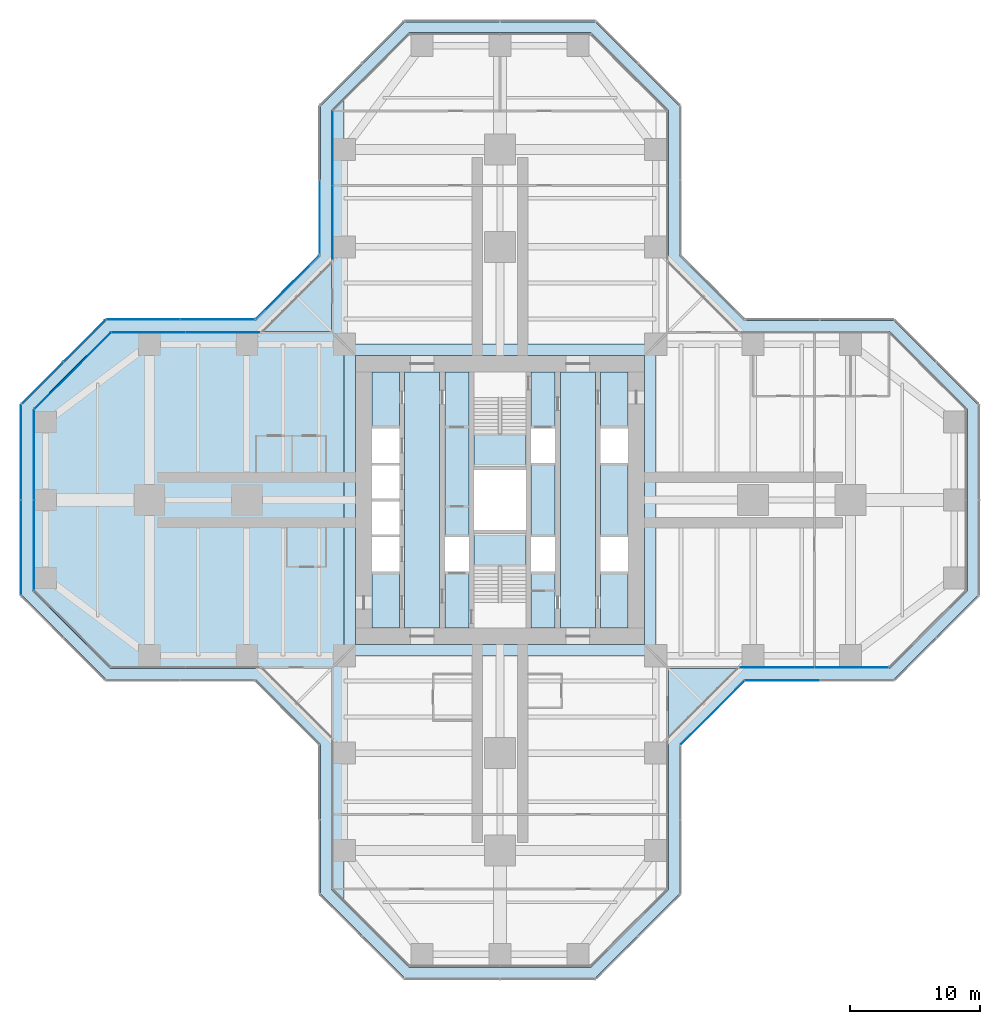
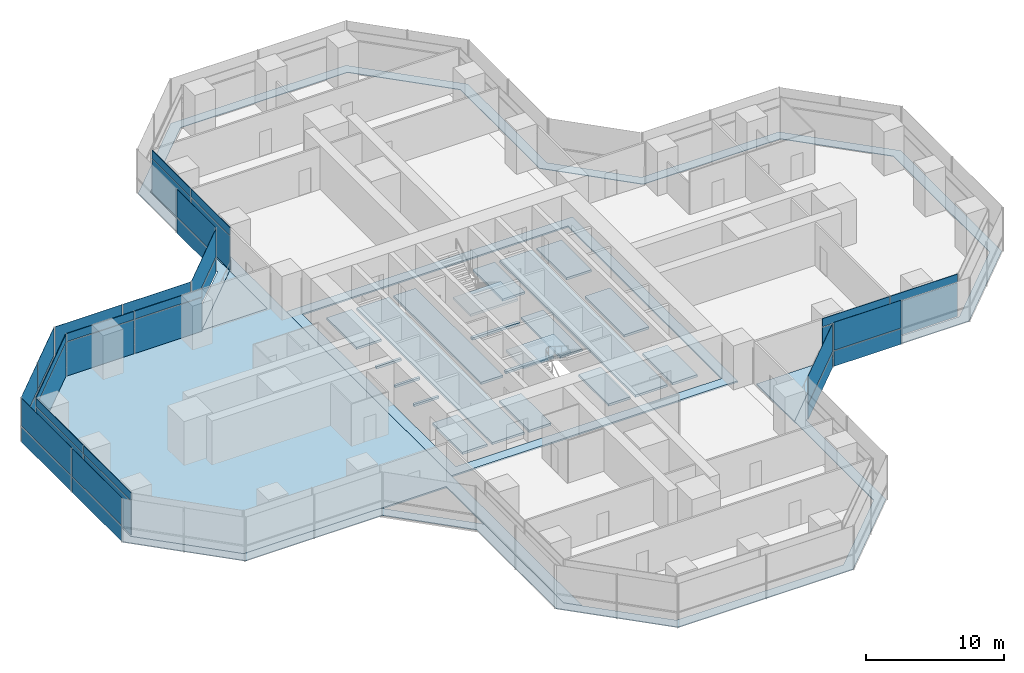
# One storey, part 15 of 22: 39 plates, 7 slabs, 14 elements without a shape of their own.
"""IFC4 building model written with IfcOpenShell, lengths in metres."""

import ifcopenshell
import ifcopenshell.guid

model = None  # the IFC model being written
_history = None  # IfcOwnerHistory: only IFC2X3 demands one
_inside = {}  # id of a spatial element -> (the spatial element, [elements in it])
_under = {}  # id of a project, library or spatial element -> (it, [spatial elements below it])
_declared = {}  # id of a project -> (the project, [libraries it declares])
_typed = {}  # id of a type object -> (the type object, [elements of that type])
_made_of = {}  # id of a material, layer set ... -> (it, [elements and type objects made of it])


def new_model(schema):
    """Start an empty IFC model of exactly this schema.

    Asked for "IFC4X3", IfcOpenShell would pick the latest addendum, in which some entities
    have other attributes; the version numbers below select the first issue.
    IFC2X3 requires an IfcOwnerHistory on every rooted entity: one is made here for all.
    """
    global model, _history
    if schema == "IFC4X3":
        model = ifcopenshell.file(schema_version=(4, 3, 0, 0))
    else:
        model = ifcopenshell.file(schema=schema)
    _inside.clear()
    _under.clear()
    _declared.clear()
    _typed.clear()
    _made_of.clear()
    _history = None
    if model.schema == "IFC2X3":
        org = make("IfcOrganization", Name="unknown")
        user = make(
            "IfcPersonAndOrganization",
            ThePerson=make("IfcPerson", FamilyName="unknown"),
            TheOrganization=org,
        )
        app = make(
            "IfcApplication",
            ApplicationDeveloper=org,
            Version="unknown",
            ApplicationFullName="unknown",
            ApplicationIdentifier="unknown",
        )
        _history = make(
            "IfcOwnerHistory",
            OwningUser=user,
            OwningApplication=app,
            ChangeAction="ADDED",
            CreationDate=0,
        )
    return model


def make(cls, **values):
    """One entity of the class cls with the attributes given. An attribute that is None is left unset."""
    return model.create_entity(
        cls, **{name: value for name, value in values.items() if value is not None}
    )


def rooted(cls, **values):
    """An entity with a GlobalId (a new one), such as an element, a storey or a relation."""
    return make(cls, GlobalId=ifcopenshell.guid.new(), OwnerHistory=_history, **values)


def si_unit(unit_type, name, prefix=None):
    """IfcSIUnit, for example si_unit("LENGTHUNIT", "METRE", prefix="MILLI")."""
    return make("IfcSIUnit", UnitType=unit_type, Prefix=prefix, Name=name)


def assignment(units):
    """IfcUnitAssignment: the units of a project."""
    return None if units is None else make("IfcUnitAssignment", Units=units)


def point(xyz):
    """IfcCartesianPoint."""
    return None if xyz is None else make("IfcCartesianPoint", Coordinates=xyz)


def direction(xyz):
    """IfcDirection."""
    return None if xyz is None else make("IfcDirection", DirectionRatios=xyz)


def frame(location, z_axis=None, x_axis=None):
    """IfcAxis2Placement3D, a coordinate frame: its origin and axes. An axis left out is left unset."""
    return make(
        "IfcAxis2Placement3D",
        Location=point(location),
        Axis=direction(z_axis),
        RefDirection=direction(x_axis),
    )


def frame_2d(location, x_axis=None):
    """IfcAxis2Placement2D, a coordinate frame in the plane: its origin and x axis."""
    return make(
        "IfcAxis2Placement2D", Location=point(location), RefDirection=direction(x_axis)
    )


def origin():
    """The frame at (0, 0, 0) with its axes left unset."""
    return frame((0.0, 0.0, 0.0))


def origin_2d():
    """The frame at (0, 0) in the plane with its x axis left unset."""
    return frame_2d((0.0, 0.0))


def place(relative_to, where):
    """IfcLocalPlacement: puts the frame where relative to a parent placement (None: the world)."""
    return make(
        "IfcLocalPlacement", PlacementRelTo=relative_to, RelativePlacement=where
    )


def context(
    kind, dimensions, precision=None, world=None, true_north=None, identifier=None
):
    """IfcGeometricRepresentationContext, for example the 3D "Model" context."""
    return make(
        "IfcGeometricRepresentationContext",
        ContextIdentifier=identifier,
        ContextType=kind,
        CoordinateSpaceDimension=dimensions,
        Precision=precision,
        WorldCoordinateSystem=world,
        TrueNorth=true_north,
    )


def subcontext(parent, identifier, kind, view, scale=None):
    """IfcGeometricRepresentationSubContext, for example "Body" below "Model"."""
    return make(
        "IfcGeometricRepresentationSubContext",
        ContextIdentifier=identifier,
        ContextType=kind,
        ParentContext=parent,
        TargetScale=scale,
        TargetView=view,
    )


def project(units=None, contexts=None):
    """IfcProject with its units and contexts."""
    return rooted(
        "IfcProject",
        Name="project",
        RepresentationContexts=contexts,
        UnitsInContext=assignment(units),
    )


def spatial(cls, under=None, at=None, **own):
    """A site, building, storey or space (cls), placed at a placement, below another one or the project."""
    s = rooted(cls, ObjectPlacement=at, **own)
    if under is not None:
        _under.setdefault(under.id(), (under, []))[1].append(s)
    return s


def polyline(points):
    """IfcPolyline through the points."""
    return make("IfcPolyline", Points=[point(p) for p in points])


def profile(cls, at=None, kind="AREA", **sizes):
    """A parametric profile (cls). Its sizes go by their IFC names, for example OverallWidth=200.0."""
    return make(cls, ProfileType=kind, Position=at, **sizes)


def rectangle(**sizes):
    """IfcRectangleProfileDef."""
    return profile("IfcRectangleProfileDef", **sizes)


def outline(outer, holes=None, kind="AREA"):
    """IfcArbitraryClosedProfileDef: a profile drawn as a closed curve; with holes, ...WithVoids."""
    if holes is None:
        return make("IfcArbitraryClosedProfileDef", ProfileType=kind, OuterCurve=outer)
    return make(
        "IfcArbitraryProfileDefWithVoids",
        ProfileType=kind,
        OuterCurve=outer,
        InnerCurves=holes,
    )


def extrude(swept, where, along, depth):
    """IfcExtrudedAreaSolid: the profile swept, set in the frame where, extruded along a direction by depth."""
    return make(
        "IfcExtrudedAreaSolid",
        SweptArea=swept,
        Position=where,
        ExtrudedDirection=direction(along),
        Depth=depth,
    )


def shape(context_of_items, identifier, shape_type, items):
    """IfcShapeRepresentation: the items that make up one representation, for example the "Body"."""
    return make(
        "IfcShapeRepresentation",
        ContextOfItems=context_of_items,
        RepresentationIdentifier=identifier,
        RepresentationType=shape_type,
        Items=items,
    )


def material(Name=None, Category=None):
    """IfcMaterial."""
    return make("IfcMaterial", Name=Name, Category=Category)


def layer(
    of_material, thickness, ventilated=None, Name=None, Category=None, Priority=None
):
    """IfcMaterialLayer: one layer of a wall or slab, of a material (None: an air gap)."""
    return make(
        "IfcMaterialLayer",
        Material=of_material,
        LayerThickness=thickness,
        IsVentilated=ventilated,
        Name=Name,
        Category=Category,
        Priority=Priority,
    )


def layer_set(layers, Name=None):
    """IfcMaterialLayerSet."""
    return make("IfcMaterialLayerSet", MaterialLayers=layers, LayerSetName=Name)


def made_of(thing, what):
    """Note that an element or type object is made of a material, layer set ...; save() writes the relation."""
    if what is not None:
        _made_of.setdefault(what.id(), (what, []))[1].append(thing)
    return thing


def type_object(cls, material=None, **own):
    """A type object (cls), such as IfcWallType, which elements share."""
    return made_of(rooted(cls, **own), material)


def element(
    cls,
    number,
    at=None,
    inside=None,
    cuts=None,
    type_object=None,
    material=None,
    context=None,
    identifier="Body",
    shape_type=None,
    held_by="IfcProductDefinitionShape",
    body=None,
    shapes=None,
    **own,
):
    """One element of the class cls, such as IfcWall. Its Tag is "e" and its number.

    at: its placement. inside: the storey or other place that contains it. cuts: it is an
    opening in that element (IfcRelVoidsElement). A single representation is given by context,
    identifier, shape_type and body (its items); several are given by shapes. held_by: the class
    of the entity that holds the representations. save() writes the other relations.
    """
    e = rooted(cls, Tag="e%d" % number, ObjectPlacement=at, **own)
    if body is not None:
        shapes = [shape(context, identifier, shape_type, body)]
    if shapes is not None:
        e.Representation = make(held_by, Representations=shapes)
    if inside is not None:
        _inside.setdefault(inside.id(), (inside, []))[1].append(e)
    if cuts is not None:
        rooted(
            "IfcRelVoidsElement", RelatingBuildingElement=cuts, RelatedOpeningElement=e
        )
    if type_object is not None:
        _typed.setdefault(type_object.id(), (type_object, []))[1].append(e)
    return made_of(e, material)


def aggregate(whole, parts):
    """IfcRelAggregates: a whole, such as a stair, and the parts it consists of."""
    return rooted("IfcRelAggregates", RelatingObject=whole, RelatedObjects=parts)


def save(model, path):
    """Write the relations noted so far, then the file.

    IfcRelAggregates (storeys below a building ...), IfcRelContainedInSpatialStructure (elements
    in a storey), IfcRelDefinesByType, IfcRelAssociatesMaterial and IfcRelDeclares: one each for
    every whole, place, type object, material and project.
    """
    for whole, parts in _under.values():
        aggregate(whole, parts)
    for where, things in _inside.values():
        rooted(
            "IfcRelContainedInSpatialStructure",
            RelatedElements=things,
            RelatingStructure=where,
        )
    for kind, things in _typed.values():
        rooted("IfcRelDefinesByType", RelatedObjects=things, RelatingType=kind)
    for what, things in _made_of.values():
        rooted("IfcRelAssociatesMaterial", RelatedObjects=things, RelatingMaterial=what)
    for by, libraries in _declared.values():
        rooted("IfcRelDeclares", RelatingContext=by, RelatedDefinitions=libraries)
    model.write(path)


model = new_model("IFC4")

# Units and contexts
model_context = context("Model", 3, precision=1e-05, world=origin(), true_north=direction((0.0, 1.0)))
body_context = subcontext(model_context, "Body", "Model", "MODEL_VIEW")
ifc_project = project(units=[si_unit("LENGTHUNIT", "METRE"), si_unit("AREAUNIT", "SQUARE_METRE"), si_unit("VOLUMEUNIT", "CUBIC_METRE"), si_unit("PLANEANGLEUNIT", "RADIAN"), si_unit("MASSUNIT", "GRAM", prefix="KILO")], contexts=[model_context])

# Site, building, storey
site_placement = place(None, origin())
site = spatial("IfcSite", under=ifc_project, at=site_placement, CompositionType="ELEMENT")
building_placement = place(site_placement, origin())
building = spatial("IfcBuilding", under=site, at=building_placement, Name="Mizan Broadcast Tower", CompositionType="ELEMENT")
storey_placement = place(building_placement, frame((0.0, 0.0, 98.10009765625)))
storey = spatial("IfcBuildingStorey", under=building, at=storey_placement, Name="L21", CompositionType="ELEMENT", Elevation=98.10009765625)

# Plate
ifc_material_1 = material(Name="Aluminium grating", Category="aluminium")
ifc_layer_1 = layer(ifc_material_1, 0.050048828125)
ifc_layer_set_1 = layer_set([ifc_layer_1], Name="Aluminium grating")
plate_type_1 = type_object("IfcPlateType", Name="CAVITY GRATING", PredefinedType="USERDEFINED", material=ifc_layer_set_1)
plate_1_placement = place(storey_placement, frame((0.0, 0.0, -0.050048828125)))
element("IfcPlate", 1, at=plate_1_placement, inside=storey, type_object=plate_type_1, Name="Cavity grating L21", ObjectType="GRATING", PredefinedType="USERDEFINED", context=body_context, shape_type="SweptSolid", body=[
    extrude(outline(polyline([(13.820068359375, -18.839599609375), (18.839599609375, -13.820068359375), (30.339599609375, -13.820068359375), (36.820068359375, -7.339599609375), (36.820068359375, 7.339599609375), (30.339599609375, 13.820068359375), (18.839599609375, 13.820068359375), (13.820068359375, 18.839599609375), (13.820068359375, 30.339599609375), (7.339599609375, 36.820068359375), (-7.339599609375, 36.820068359375), (-13.820068359375, 30.339599609375), (-13.820068359375, 18.839599609375), (-18.839599609375, 13.820068359375), (-30.339599609375, 13.820068359375), (-36.820068359375, 7.339599609375), (-36.820068359375, -7.339599609375), (-30.339599609375, -13.820068359375), (-18.839599609375, -13.820068359375), (-13.820068359375, -18.839599609375), (-13.820068359375, -30.339599609375), (-7.339599609375, -36.820068359375), (7.339599609375, -36.820068359375), (13.820068359375, -30.339599609375), (13.820068359375, -18.839599609375)]), holes=[polyline([(36.0, 7.0), (36.0, -7.0), (30.0, -13.0), (18.5, -13.0), (13.0, -18.5), (13.0, -30.0), (7.0, -36.0), (-7.0, -36.0), (-13.0, -30.0), (-13.0, -18.5), (-18.5, -13.0), (-30.0, -13.0), (-36.0, -7.0), (-36.0, 7.0), (-30.0, 13.0), (-18.5, 13.0), (-13.0, 18.5), (-13.0, 30.0), (-7.0, 36.0), (7.0, 36.0), (13.0, 30.0), (13.0, 18.5), (18.5, 13.0), (30.0, 13.0), (36.0, 7.0)])]), origin(), (0.0, 0.0, 1.0), 0.050048828125),
])

# Slabs
ifc_material_2 = material(Name="Concrete C32/40", Category="concrete")
ifc_layer_2 = layer(ifc_material_2, 0.1298828125)
ifc_layer_set_2 = layer_set([ifc_layer_2], Name="Concrete C32/40")
slab_type_1 = type_object("IfcSlabType", Name="COMPOSITE DECK SLAB 130", PredefinedType="FLOOR", material=ifc_layer_set_2)
slab_1_placement = place(storey_placement, frame((0.0, 0.0, -0.130126953125)))
element("IfcSlab", 2, at=slab_1_placement, inside=storey, type_object=slab_type_1, Name="Floor slab L21 centre", PredefinedType="FLOOR", context=body_context, shape_type="SweptSolid", body=[
    extrude(outline(polyline([(-12.0, -12.0), (12.0, -12.0), (12.0, 12.0), (-12.0, 12.0), (-12.0, -12.0)]), holes=[polyline([(-11.14990234375, 11.14990234375), (11.14990234375, 11.14990234375), (11.14990234375, -11.14990234375), (-11.14990234375, -11.14990234375), (-11.14990234375, 11.14990234375)])]), origin(), (0.0, 0.0, 1.0), 0.130126953125),
])
slab_2_placement = place(storey_placement, frame((0.0, 0.0, -0.130126953125)))
element("IfcSlab", 3, at=slab_2_placement, inside=storey, type_object=slab_type_1, Name="Floor slab L21 west arm", PredefinedType="FLOOR", context=body_context, shape_type="SweptSolid", body=[
    extrude(outline(polyline([(-13.0, -30.0), (-12.0, -31.0), (-12.0, 31.0), (-13.0, 30.0), (-13.0, 13.0), (-30.0, 13.0), (-36.0, 7.0), (-36.0, -7.0), (-30.0, -13.0), (-13.0, -13.0), (-13.0, -30.0)])), origin(), (0.0, 0.0, 1.0), 0.130126953125),
])
ifc_material_3 = material(Name="Concrete C40/50", Category="concrete")
ifc_layer_3 = layer(ifc_material_3, 0.199951171875)
ifc_layer_set_3 = layer_set([ifc_layer_3], Name="Concrete C40/50")
slab_type_2 = type_object("IfcSlabType", Name="CORE FLOOR 200", PredefinedType="FLOOR", material=ifc_layer_set_3)
slab_3_placement = place(storey_placement, frame((0.0, 0.0, -0.2001953125)))
element("IfcSlab", 4, at=slab_3_placement, inside=storey, type_object=slab_type_2, Name="Core floor L21", PredefinedType="FLOOR", context=body_context, shape_type="SweptSolid", body=[
    extrude(outline(polyline([(-9.85009765625, -9.85009765625), (-7.75, -9.85009765625), (-7.75, -5.5), (-9.85009765625, -5.5), (-9.85009765625, -9.85009765625)])), origin(), (0.0, 0.0, 1.0), 0.2001953125),
    extrude(outline(polyline([(-9.85009765625, -2.85009765625), (-7.75, -2.85009765625), (-7.75, -2.64990234375), (-9.85009765625, -2.64990234375), (-9.85009765625, -2.85009765625)])), origin(), (0.0, 0.0, 1.0), 0.2001953125),
    extrude(outline(polyline([(-9.85009765625, -0.10009765625), (-7.75, -0.10009765625), (-7.75, 0.10009765625), (-9.85009765625, 0.10009765625), (-9.85009765625, -0.10009765625)])), origin(), (0.0, 0.0, 1.0), 0.2001953125),
    extrude(outline(polyline([(-9.85009765625, 2.64990234375), (-7.75, 2.64990234375), (-7.75, 2.85009765625), (-9.85009765625, 2.85009765625), (-9.85009765625, 2.64990234375)])), origin(), (0.0, 0.0, 1.0), 0.2001953125),
    extrude(outline(polyline([(-9.85009765625, 5.5), (-7.75, 5.5), (-7.75, 9.85009765625), (-9.85009765625, 9.85009765625), (-9.85009765625, 5.5)])), origin(), (0.0, 0.0, 1.0), 0.2001953125),
    extrude(outline(polyline([(-4.64990234375, 9.85009765625), (-7.35009765625, 9.85009765625), (-7.35009765625, -9.85009765625), (-4.64990234375, -9.85009765625), (-4.64990234375, 9.85009765625)])), origin(), (0.0, 0.0, 1.0), 0.2001953125),
    extrude(outline(polyline([(-4.25, -5.5), (-4.25, -9.85009765625), (-2.39990234375, -9.85009765625), (-2.39990234375, -5.5), (-4.25, -5.5)])), origin(), (0.0, 0.0, 1.0), 0.2001953125),
    extrude(outline(polyline([(-4.25, -2.85009765625), (-2.39990234375, -2.85009765625), (-2.39990234375, 9.85009765625), (-4.25, 9.85009765625), (-4.25, -2.85009765625)])), origin(), (0.0, 0.0, 1.0), 0.2001953125),
    extrude(outline(polyline([(2.0, -2.324951171875), (-2.0, -2.324951171875), (-2.0, -2.574951171875), (2.0, -2.574951171875), (2.0, -2.324951171875)])), origin(), (0.0, 0.0, 1.0), 0.2001953125),
    extrude(outline(polyline([(2.0, 2.574951171875), (-2.0, 2.574951171875), (-2.0, 2.324951171875), (2.0, 2.324951171875), (2.0, 2.574951171875)])), origin(), (0.0, 0.0, 1.0), 0.2001953125),
    extrude(outline(polyline([(4.25, -9.85009765625), (4.25, -5.5), (2.39990234375, -5.5), (2.39990234375, -9.85009765625), (4.25, -9.85009765625)])), origin(), (0.0, 0.0, 1.0), 0.2001953125),
    extrude(outline(polyline([(4.25, -2.85009765625), (4.25, 2.85009765625), (2.39990234375, 2.85009765625), (2.39990234375, -2.85009765625), (4.25, -2.85009765625)])), origin(), (0.0, 0.0, 1.0), 0.2001953125),
    extrude(outline(polyline([(4.25, 5.5), (4.25, 9.85009765625), (2.39990234375, 9.85009765625), (2.39990234375, 5.5), (4.25, 5.5)])), origin(), (0.0, 0.0, 1.0), 0.2001953125),
    extrude(outline(polyline([(4.64990234375, 9.85009765625), (4.64990234375, -9.85009765625), (7.35009765625, -9.85009765625), (7.35009765625, 9.85009765625), (4.64990234375, 9.85009765625)])), origin(), (0.0, 0.0, 1.0), 0.2001953125),
    extrude(outline(polyline([(9.85009765625, -9.85009765625), (9.85009765625, -5.5), (7.75, -5.5), (7.75, -9.85009765625), (9.85009765625, -9.85009765625)])), origin(), (0.0, 0.0, 1.0), 0.2001953125),
    extrude(outline(polyline([(7.75, 2.85009765625), (7.75, -2.85009765625), (9.85009765625, -2.85009765625), (9.85009765625, 2.85009765625), (7.75, 2.85009765625)])), origin(), (0.0, 0.0, 1.0), 0.2001953125),
    extrude(outline(polyline([(9.85009765625, 5.5), (9.85009765625, 9.85009765625), (7.75, 9.85009765625), (7.75, 5.5), (9.85009765625, 5.5)])), origin(), (0.0, 0.0, 1.0), 0.2001953125),
])

# Curtain wall, plates
ifc_material_4 = material(Name="Aluminium framed glazing", Category="aluminium")
curtain_wall_type_1 = type_object("IfcCurtainWallType", Name="INNER SKIN LOW ZONE", PredefinedType="USERDEFINED", material=ifc_material_4)
curtain_wall_1_placement = place(storey_placement, origin())
curtain_wall_1 = element("IfcCurtainWall", 5, at=curtain_wall_1_placement, inside=storey, type_object=curtain_wall_type_1, Name="Inner skin low zone L21 E side", ObjectType="INNER SKIN LOW ZONE", PredefinedType="USERDEFINED")
ifc_material_5 = material(Name="Double glazing, clear low-e", Category="glass")
ifc_layer_4 = layer(ifc_material_5, 0.028076171875)
ifc_layer_set_4 = layer_set([ifc_layer_4], Name="Double glazing, clear low-e")
plate_type_2 = type_object("IfcPlateType", Name="INNER SKIN GLAZING UNIT", PredefinedType="CURTAIN_PANEL", material=ifc_layer_set_4)
plate_2_placement = place(storey_placement, frame((21.379638671875, -12.89990234375, 0.0), z_axis=(0.0, 0.0, 1.0), x_axis=(1.0, 0.0, 0.0)))
plate_2 = element("IfcPlate", 6, at=plate_2_placement, type_object=plate_type_2, Name="Inner skin low zone L21 E side panel 1.1", PredefinedType="CURTAIN_PANEL", context=body_context, shape_type="SweptSolid", body=[
    extrude(rectangle(XDim=5.639404296875, YDim=0.028076171875, at=origin_2d()), origin(), (0.0, 0.0, 1.0), 3.0),
])
plate_3_placement = place(storey_placement, frame((27.078857421875, -12.89990234375, 0.0), z_axis=(0.0, 0.0, 1.0), x_axis=(1.0, 0.0, 0.0)))
plate_3 = element("IfcPlate", 7, at=plate_3_placement, type_object=plate_type_2, Name="Inner skin low zone L21 E side panel 2.1", PredefinedType="CURTAIN_PANEL", context=body_context, shape_type="SweptSolid", body=[
    extrude(rectangle(XDim=5.639404296875, YDim=0.028076171875, at=origin_2d()), origin(), (0.0, 0.0, 1.0), 3.0),
])

curtain_wall_2_placement = place(storey_placement, origin())
curtain_wall_2 = element("IfcCurtainWall", 8, at=curtain_wall_2_placement, inside=storey, type_object=curtain_wall_type_1, Name="Inner skin low zone L21 N side", ObjectType="INNER SKIN LOW ZONE", PredefinedType="USERDEFINED")
plate_4_placement = place(storey_placement, frame((-12.89990234375, 27.078857421875, 0.0), z_axis=(0.0, 0.0, 1.0), x_axis=(0.0, -1.0, 0.0)))
plate_4 = element("IfcPlate", 9, at=plate_4_placement, type_object=plate_type_2, Name="Inner skin low zone L21 N side panel 1.1", PredefinedType="CURTAIN_PANEL", context=body_context, shape_type="SweptSolid", body=[
    extrude(rectangle(XDim=5.639404296875, YDim=0.028076171875, at=origin_2d()), origin(), (0.0, 0.0, 1.0), 3.0),
])
plate_5_placement = place(storey_placement, frame((-12.89990234375, 21.379638671875, 0.0), z_axis=(0.0, 0.0, 1.0), x_axis=(0.0, -1.0, 0.0)))
plate_5 = element("IfcPlate", 10, at=plate_5_placement, type_object=plate_type_2, Name="Inner skin low zone L21 N side panel 2.1", PredefinedType="CURTAIN_PANEL", context=body_context, shape_type="SweptSolid", body=[
    extrude(rectangle(XDim=5.639404296875, YDim=0.028076171875, at=origin_2d()), origin(), (0.0, 0.0, 1.0), 3.0),
])

curtain_wall_3_placement = place(storey_placement, origin())
curtain_wall_3 = element("IfcCurtainWall", 11, at=curtain_wall_3_placement, inside=storey, type_object=curtain_wall_type_1, Name="Inner skin low zone L21 W side", ObjectType="INNER SKIN LOW ZONE", PredefinedType="USERDEFINED")
plate_6_placement = place(storey_placement, frame((-21.379638671875, 12.89990234375, 0.0), z_axis=(0.0, 0.0, 1.0), x_axis=(-1.0, 0.0, 0.0)))
plate_6 = element("IfcPlate", 12, at=plate_6_placement, type_object=plate_type_2, Name="Inner skin low zone L21 W side panel 1.1", PredefinedType="CURTAIN_PANEL", context=body_context, shape_type="SweptSolid", body=[
    extrude(rectangle(XDim=5.639404296875, YDim=0.028076171875, at=origin_2d()), origin(), (0.0, 0.0, 1.0), 3.0),
])
plate_7_placement = place(storey_placement, frame((-27.078857421875, 12.89990234375, 0.0), z_axis=(0.0, 0.0, 1.0), x_axis=(-1.0, 0.0, 0.0)))
plate_7 = element("IfcPlate", 13, at=plate_7_placement, type_object=plate_type_2, Name="Inner skin low zone L21 W side panel 2.1", PredefinedType="CURTAIN_PANEL", context=body_context, shape_type="SweptSolid", body=[
    extrude(rectangle(XDim=5.639404296875, YDim=0.028076171875, at=origin_2d()), origin(), (0.0, 0.0, 1.0), 3.0),
])

# Curtain wall, plate
curtain_wall_4_placement = place(storey_placement, origin())
curtain_wall_4 = element("IfcCurtainWall", 14, at=curtain_wall_4_placement, inside=storey, type_object=curtain_wall_type_1, Name="Inner skin low zone L21 W chamfer", ObjectType="INNER SKIN LOW ZONE", PredefinedType="USERDEFINED")
plate_8_placement = place(storey_placement, frame((-32.92919921875, 9.92919921875, 0.0), z_axis=(0.0, 0.0, 1.0), x_axis=(-0.707106781187, -0.707106781187, 0.0)))
plate_8 = element("IfcPlate", 15, at=plate_8_placement, type_object=plate_type_2, Name="Inner skin low zone L21 W chamfer panel 1.1", PredefinedType="CURTAIN_PANEL", context=body_context, shape_type="SweptSolid", body=[
    extrude(rectangle(XDim=8.282470703125, YDim=0.028076171875, at=origin_2d()), origin(), (0.0, 0.0, 1.0), 3.0),
])

# Curtain wall, plates
curtain_wall_5_placement = place(storey_placement, origin())
curtain_wall_5 = element("IfcCurtainWall", 16, at=curtain_wall_5_placement, inside=storey, type_object=curtain_wall_type_1, Name="Inner skin low zone L21 W end", ObjectType="INNER SKIN LOW ZONE", PredefinedType="USERDEFINED")
plate_9_placement = place(storey_placement, frame((-35.89990234375, 3.46435546875, 0.0), z_axis=(0.0, 0.0, 1.0), x_axis=(0.0, -1.0, 0.0)))
plate_9 = element("IfcPlate", 17, at=plate_9_placement, type_object=plate_type_2, Name="Inner skin low zone L21 W end panel 1.1", PredefinedType="CURTAIN_PANEL", context=body_context, shape_type="SweptSolid", body=[
    extrude(rectangle(XDim=6.86865234375, YDim=0.028076171875, at=origin_2d()), origin(), (0.0, 0.0, 1.0), 3.0),
])
plate_10_placement = place(storey_placement, frame((-35.89990234375, -3.46435546875, 0.0), z_axis=(0.0, 0.0, 1.0), x_axis=(0.0, -1.0, 0.0)))
plate_10 = element("IfcPlate", 18, at=plate_10_placement, type_object=plate_type_2, Name="Inner skin low zone L21 W end panel 2.1", PredefinedType="CURTAIN_PANEL", context=body_context, shape_type="SweptSolid", body=[
    extrude(rectangle(XDim=6.86865234375, YDim=0.028076171875, at=origin_2d()), origin(), (0.0, 0.0, 1.0), 3.0),
])

# Plate
ifc_material_6 = material(Name="Insulated aluminium spandrel panel, pale anodised", Category="aluminium")
ifc_layer_5 = layer(ifc_material_6, 0.050048828125)
ifc_layer_set_5 = layer_set([ifc_layer_5], Name="Insulated aluminium spandrel panel, pale anodised")
plate_type_3 = type_object("IfcPlateType", Name="INNER SKIN SPANDREL PANEL", PredefinedType="CURTAIN_PANEL", material=ifc_layer_set_5)
plate_11_placement = place(storey_placement, frame((21.379638671875, -12.89990234375, 3.059814453125), z_axis=(0.0, 0.0, 1.0), x_axis=(1.0, 0.0, 0.0)))
plate_11 = element("IfcPlate", 19, at=plate_11_placement, type_object=plate_type_3, Name="Inner skin low zone L21 E side panel 1.2", PredefinedType="CURTAIN_PANEL", context=body_context, shape_type="SweptSolid", body=[
    extrude(rectangle(XDim=5.639404296875, YDim=0.050048828125, at=origin_2d()), origin(), (0.0, 0.0, 1.0), 0.7099609375),
])

plate_12_placement = place(storey_placement, frame((27.078857421875, -12.89990234375, 3.059814453125), z_axis=(0.0, 0.0, 1.0), x_axis=(1.0, 0.0, 0.0)))
plate_12 = element("IfcPlate", 20, at=plate_12_placement, type_object=plate_type_3, Name="Inner skin low zone L21 E side panel 2.2", PredefinedType="CURTAIN_PANEL", context=body_context, shape_type="SweptSolid", body=[
    extrude(rectangle(XDim=5.639404296875, YDim=0.050048828125, at=origin_2d()), origin(), (0.0, 0.0, 1.0), 0.7099609375),
])

aggregate(curtain_wall_1, [plate_2, plate_11, plate_3, plate_12])

plate_13_placement = place(storey_placement, frame((-12.89990234375, 27.078857421875, 3.059814453125), z_axis=(0.0, 0.0, 1.0), x_axis=(0.0, -1.0, 0.0)))
plate_13 = element("IfcPlate", 21, at=plate_13_placement, type_object=plate_type_3, Name="Inner skin low zone L21 N side panel 1.2", PredefinedType="CURTAIN_PANEL", context=body_context, shape_type="SweptSolid", body=[
    extrude(rectangle(XDim=5.639404296875, YDim=0.050048828125, at=origin_2d()), origin(), (0.0, 0.0, 1.0), 0.7099609375),
])

plate_14_placement = place(storey_placement, frame((-12.89990234375, 21.379638671875, 3.059814453125), z_axis=(0.0, 0.0, 1.0), x_axis=(0.0, -1.0, 0.0)))
plate_14 = element("IfcPlate", 22, at=plate_14_placement, type_object=plate_type_3, Name="Inner skin low zone L21 N side panel 2.2", PredefinedType="CURTAIN_PANEL", context=body_context, shape_type="SweptSolid", body=[
    extrude(rectangle(XDim=5.639404296875, YDim=0.050048828125, at=origin_2d()), origin(), (0.0, 0.0, 1.0), 0.7099609375),
])

aggregate(curtain_wall_2, [plate_4, plate_13, plate_5, plate_14])

plate_15_placement = place(storey_placement, frame((-21.379638671875, 12.89990234375, 3.059814453125), z_axis=(0.0, 0.0, 1.0), x_axis=(-1.0, 0.0, 0.0)))
plate_15 = element("IfcPlate", 23, at=plate_15_placement, type_object=plate_type_3, Name="Inner skin low zone L21 W side panel 1.2", PredefinedType="CURTAIN_PANEL", context=body_context, shape_type="SweptSolid", body=[
    extrude(rectangle(XDim=5.639404296875, YDim=0.050048828125, at=origin_2d()), origin(), (0.0, 0.0, 1.0), 0.7099609375),
])

plate_16_placement = place(storey_placement, frame((-27.078857421875, 12.89990234375, 3.059814453125), z_axis=(0.0, 0.0, 1.0), x_axis=(-1.0, 0.0, 0.0)))
plate_16 = element("IfcPlate", 24, at=plate_16_placement, type_object=plate_type_3, Name="Inner skin low zone L21 W side panel 2.2", PredefinedType="CURTAIN_PANEL", context=body_context, shape_type="SweptSolid", body=[
    extrude(rectangle(XDim=5.639404296875, YDim=0.050048828125, at=origin_2d()), origin(), (0.0, 0.0, 1.0), 0.7099609375),
])

aggregate(curtain_wall_3, [plate_6, plate_15, plate_7, plate_16])

plate_17_placement = place(storey_placement, frame((-32.92919921875, 9.92919921875, 3.059814453125), z_axis=(0.0, 0.0, 1.0), x_axis=(-0.707106781187, -0.707106781187, 0.0)))
plate_17 = element("IfcPlate", 25, at=plate_17_placement, type_object=plate_type_3, Name="Inner skin low zone L21 W chamfer panel 1.2", PredefinedType="CURTAIN_PANEL", context=body_context, shape_type="SweptSolid", body=[
    extrude(rectangle(XDim=8.282470703125, YDim=0.050048828125, at=origin_2d()), origin(), (0.0, 0.0, 1.0), 0.7099609375),
])

aggregate(curtain_wall_4, [plate_8, plate_17])

plate_18_placement = place(storey_placement, frame((-35.89990234375, 3.46435546875, 3.059814453125), z_axis=(0.0, 0.0, 1.0), x_axis=(0.0, -1.0, 0.0)))
plate_18 = element("IfcPlate", 26, at=plate_18_placement, type_object=plate_type_3, Name="Inner skin low zone L21 W end panel 1.2", PredefinedType="CURTAIN_PANEL", context=body_context, shape_type="SweptSolid", body=[
    extrude(rectangle(XDim=6.86865234375, YDim=0.050048828125, at=origin_2d()), origin(), (0.0, 0.0, 1.0), 0.7099609375),
])

plate_19_placement = place(storey_placement, frame((-35.89990234375, -3.46435546875, 3.059814453125), z_axis=(0.0, 0.0, 1.0), x_axis=(0.0, -1.0, 0.0)))
plate_19 = element("IfcPlate", 27, at=plate_19_placement, type_object=plate_type_3, Name="Inner skin low zone L21 W end panel 2.2", PredefinedType="CURTAIN_PANEL", context=body_context, shape_type="SweptSolid", body=[
    extrude(rectangle(XDim=6.86865234375, YDim=0.050048828125, at=origin_2d()), origin(), (0.0, 0.0, 1.0), 0.7099609375),
])

aggregate(curtain_wall_5, [plate_9, plate_18, plate_10, plate_19])

# Curtain wall, plates
ifc_material_7 = material(Name="Aluminium framed glazing", Category="aluminium")
curtain_wall_type_2 = type_object("IfcCurtainWallType", Name="OUTER SKIN", PredefinedType="USERDEFINED", material=ifc_material_7)
curtain_wall_6_placement = place(storey_placement, origin())
curtain_wall_6 = element("IfcCurtainWall", 28, at=curtain_wall_6_placement, inside=storey, type_object=curtain_wall_type_2, Name="Outer skin L21 W chamfer", ObjectType="OUTER SKIN", PredefinedType="USERDEFINED")
ifc_material_8 = material(Name="Laminated clear glass", Category="glass")
ifc_layer_6 = layer(ifc_material_8, 0.02001953125)
ifc_layer_set_6 = layer_set([ifc_layer_6], Name="Laminated clear glass")
plate_type_4 = type_object("IfcPlateType", Name="OUTER SKIN CLEAR GLASS", PredefinedType="CURTAIN_PANEL", material=ifc_layer_set_6)
plate_20_placement = place(storey_placement, frame((-16.386474609375, 16.386474609375, -0.000244140625), z_axis=(0.0, 0.0, 1.0), x_axis=(-0.707106781187, -0.707106781187, 0.0)))
plate_20 = element("IfcPlate", 29, at=plate_20_placement, type_object=plate_type_4, Name="Outer skin L21 W chamfer panel 1.1", PredefinedType="CURTAIN_PANEL", context=body_context, shape_type="SweptSolid", body=[
    extrude(rectangle(XDim=6.87255859375, YDim=0.02001953125, at=origin_2d()), origin(), (0.0, 0.0, 1.0), 1.3701171875),
])
plate_21_placement = place(storey_placement, frame((-16.386474609375, 16.386474609375, 1.4296875), z_axis=(0.0, 0.0, 1.0), x_axis=(-0.707106781187, -0.707106781187, 0.0)))
plate_21 = element("IfcPlate", 30, at=plate_21_placement, type_object=plate_type_4, Name="Outer skin L21 W chamfer panel 1.2", PredefinedType="CURTAIN_PANEL", context=body_context, shape_type="SweptSolid", body=[
    extrude(rectangle(XDim=6.87255859375, YDim=0.02001953125, at=origin_2d()), origin(), (0.0, 0.0, 1.0), 2.469970703125),
])
aggregate(curtain_wall_6, [plate_20, plate_21])

curtain_wall_7_placement = place(storey_placement, origin())
curtain_wall_7 = element("IfcCurtainWall", 31, at=curtain_wall_7_placement, inside=storey, type_object=curtain_wall_type_2, Name="Outer skin L21 W side", ObjectType="OUTER SKIN", PredefinedType="USERDEFINED")
plate_22_placement = place(storey_placement, frame((-21.767822265625, 13.89990234375, -0.000244140625), z_axis=(0.0, 0.0, 1.0), x_axis=(-1.0, 0.0, 0.0)))
plate_22 = element("IfcPlate", 32, at=plate_22_placement, type_object=plate_type_4, Name="Outer skin L21 W side panel 1.1", PredefinedType="CURTAIN_PANEL", context=body_context, shape_type="SweptSolid", body=[
    extrude(rectangle(XDim=5.6298828125, YDim=0.02001953125, at=origin_2d()), origin(), (0.0, 0.0, 1.0), 1.3701171875),
])
plate_23_placement = place(storey_placement, frame((-21.767822265625, 13.89990234375, 1.4296875), z_axis=(0.0, 0.0, 1.0), x_axis=(-1.0, 0.0, 0.0)))
plate_23 = element("IfcPlate", 33, at=plate_23_placement, type_object=plate_type_4, Name="Outer skin L21 W side panel 1.2", PredefinedType="CURTAIN_PANEL", context=body_context, shape_type="SweptSolid", body=[
    extrude(rectangle(XDim=5.6298828125, YDim=0.02001953125, at=origin_2d()), origin(), (0.0, 0.0, 1.0), 2.469970703125),
])
plate_24_placement = place(storey_placement, frame((-27.477783203125, 13.89990234375, -0.000244140625), z_axis=(0.0, 0.0, 1.0), x_axis=(-1.0, 0.0, 0.0)))
plate_24 = element("IfcPlate", 34, at=plate_24_placement, type_object=plate_type_4, Name="Outer skin L21 W side panel 2.1", PredefinedType="CURTAIN_PANEL", context=body_context, shape_type="SweptSolid", body=[
    extrude(rectangle(XDim=5.6298828125, YDim=0.02001953125, at=origin_2d()), origin(), (0.0, 0.0, 1.0), 1.3701171875),
])
plate_25_placement = place(storey_placement, frame((-27.477783203125, 13.89990234375, 1.4296875), z_axis=(0.0, 0.0, 1.0), x_axis=(-1.0, 0.0, 0.0)))
plate_25 = element("IfcPlate", 35, at=plate_25_placement, type_object=plate_type_4, Name="Outer skin L21 W side panel 2.2", PredefinedType="CURTAIN_PANEL", context=body_context, shape_type="SweptSolid", body=[
    extrude(rectangle(XDim=5.6298828125, YDim=0.02001953125, at=origin_2d()), origin(), (0.0, 0.0, 1.0), 2.469970703125),
])
aggregate(curtain_wall_7, [plate_22, plate_23, plate_24, plate_25])

curtain_wall_8_placement = place(storey_placement, origin())
curtain_wall_8 = element("IfcCurtainWall", 36, at=curtain_wall_8_placement, inside=storey, type_object=curtain_wall_type_2, Name="Outer skin L21 W chamfer", ObjectType="OUTER SKIN", PredefinedType="USERDEFINED")
plate_26_placement = place(storey_placement, frame((-32.018798828125, 12.254150390625, -0.000244140625), z_axis=(0.0, 0.0, 1.0), x_axis=(-0.707106781187, -0.707106781187, 0.0)))
plate_26 = element("IfcPlate", 37, at=plate_26_placement, type_object=plate_type_4, Name="Outer skin L21 W chamfer panel 1.1", PredefinedType="CURTAIN_PANEL", context=body_context, shape_type="SweptSolid", body=[
    extrude(rectangle(XDim=4.495361328125, YDim=0.02001953125, at=origin_2d()), origin(), (0.0, 0.0, 1.0), 1.3701171875),
])
plate_27_placement = place(storey_placement, frame((-32.018798828125, 12.254150390625, 1.4296875), z_axis=(0.0, 0.0, 1.0), x_axis=(-0.707106781187, -0.707106781187, 0.0)))
plate_27 = element("IfcPlate", 38, at=plate_27_placement, type_object=plate_type_4, Name="Outer skin L21 W chamfer panel 1.2", PredefinedType="CURTAIN_PANEL", context=body_context, shape_type="SweptSolid", body=[
    extrude(rectangle(XDim=4.495361328125, YDim=0.02001953125, at=origin_2d()), origin(), (0.0, 0.0, 1.0), 2.469970703125),
])

curtain_wall_9_placement = place(storey_placement, origin())
curtain_wall_9 = element("IfcCurtainWall", 39, at=curtain_wall_9_placement, inside=storey, type_object=curtain_wall_type_2, Name="Outer skin L21 W end", ObjectType="OUTER SKIN", PredefinedType="USERDEFINED")
plate_28_placement = place(storey_placement, frame((-36.89990234375, 3.66650390625, -0.000244140625), z_axis=(0.0, 0.0, 1.0), x_axis=(0.0, -1.0, 0.0)))
plate_28 = element("IfcPlate", 40, at=plate_28_placement, type_object=plate_type_4, Name="Outer skin L21 W end panel 1.1", PredefinedType="CURTAIN_PANEL", context=body_context, shape_type="SweptSolid", body=[
    extrude(rectangle(XDim=7.252685546875, YDim=0.02001953125, at=origin_2d()), origin(), (0.0, 0.0, 1.0), 1.3701171875),
])
plate_29_placement = place(storey_placement, frame((-36.89990234375, 3.66650390625, 1.4296875), z_axis=(0.0, 0.0, 1.0), x_axis=(0.0, -1.0, 0.0)))
plate_29 = element("IfcPlate", 41, at=plate_29_placement, type_object=plate_type_4, Name="Outer skin L21 W end panel 1.2", PredefinedType="CURTAIN_PANEL", context=body_context, shape_type="SweptSolid", body=[
    extrude(rectangle(XDim=7.252685546875, YDim=0.02001953125, at=origin_2d()), origin(), (0.0, 0.0, 1.0), 2.469970703125),
])

curtain_wall_10_placement = place(storey_placement, origin())
curtain_wall_10 = element("IfcCurtainWall", 42, at=curtain_wall_10_placement, inside=storey, type_object=curtain_wall_type_2, Name="Outer skin L21 E chamfer", ObjectType="OUTER SKIN", PredefinedType="USERDEFINED")
plate_30_placement = place(storey_placement, frame((16.386474609375, -16.386474609375, -0.000244140625), z_axis=(0.0, 0.0, 1.0), x_axis=(0.707106781187, 0.707106781187, 0.0)))
plate_30 = element("IfcPlate", 43, at=plate_30_placement, type_object=plate_type_4, Name="Outer skin L21 E chamfer panel 1.1", PredefinedType="CURTAIN_PANEL", context=body_context, shape_type="SweptSolid", body=[
    extrude(rectangle(XDim=6.87255859375, YDim=0.02001953125, at=origin_2d()), origin(), (0.0, 0.0, 1.0), 1.3701171875),
])
plate_31_placement = place(storey_placement, frame((16.386474609375, -16.386474609375, 1.4296875), z_axis=(0.0, 0.0, 1.0), x_axis=(0.707106781187, 0.707106781187, 0.0)))
plate_31 = element("IfcPlate", 44, at=plate_31_placement, type_object=plate_type_4, Name="Outer skin L21 E chamfer panel 1.2", PredefinedType="CURTAIN_PANEL", context=body_context, shape_type="SweptSolid", body=[
    extrude(rectangle(XDim=6.87255859375, YDim=0.02001953125, at=origin_2d()), origin(), (0.0, 0.0, 1.0), 2.469970703125),
])
aggregate(curtain_wall_10, [plate_30, plate_31])

curtain_wall_11_placement = place(storey_placement, origin())
curtain_wall_11 = element("IfcCurtainWall", 45, at=curtain_wall_11_placement, inside=storey, type_object=curtain_wall_type_2, Name="Outer skin L21 E side", ObjectType="OUTER SKIN", PredefinedType="USERDEFINED")
plate_32_placement = place(storey_placement, frame((21.767822265625, -13.89990234375, -0.000244140625), z_axis=(0.0, 0.0, 1.0), x_axis=(1.0, 0.0, 0.0)))
plate_32 = element("IfcPlate", 46, at=plate_32_placement, type_object=plate_type_4, Name="Outer skin L21 E side panel 1.1", PredefinedType="CURTAIN_PANEL", context=body_context, shape_type="SweptSolid", body=[
    extrude(rectangle(XDim=5.6298828125, YDim=0.02001953125, at=origin_2d()), origin(), (0.0, 0.0, 1.0), 1.3701171875),
])
plate_33_placement = place(storey_placement, frame((21.767822265625, -13.89990234375, 1.4296875), z_axis=(0.0, 0.0, 1.0), x_axis=(1.0, 0.0, 0.0)))
plate_33 = element("IfcPlate", 47, at=plate_33_placement, type_object=plate_type_4, Name="Outer skin L21 E side panel 1.2", PredefinedType="CURTAIN_PANEL", context=body_context, shape_type="SweptSolid", body=[
    extrude(rectangle(XDim=5.6298828125, YDim=0.02001953125, at=origin_2d()), origin(), (0.0, 0.0, 1.0), 2.469970703125),
])
aggregate(curtain_wall_11, [plate_32, plate_33])

curtain_wall_12_placement = place(storey_placement, origin())
curtain_wall_12 = element("IfcCurtainWall", 48, at=curtain_wall_12_placement, inside=storey, type_object=curtain_wall_type_2, Name="Outer skin L21 N side", ObjectType="OUTER SKIN", PredefinedType="USERDEFINED")
ifc_material_9 = material(Name="Perforated aluminium, pale anodised", Category="aluminium")
ifc_layer_7 = layer(ifc_material_9, 0.011962890625)
ifc_layer_set_7 = layer_set([ifc_layer_7], Name="Perforated aluminium, pale anodised")
plate_type_5 = type_object("IfcPlateType", Name="OUTER SKIN PERFORATED SCREEN", PredefinedType="USERDEFINED", material=ifc_layer_set_7)
plate_34_placement = place(storey_placement, frame((-13.89990234375, 21.767822265625, -0.000244140625), z_axis=(0.0, 0.0, 1.0), x_axis=(0.0, -1.0, 0.0)))
plate_34 = element("IfcPlate", 49, at=plate_34_placement, type_object=plate_type_5, Name="Outer skin L21 N side panel 2.1", ObjectType="SCREEN", PredefinedType="USERDEFINED", context=body_context, shape_type="SweptSolid", body=[
    extrude(rectangle(XDim=5.6298828125, YDim=0.011962890625, at=origin_2d()), origin(), (0.0, 0.0, 1.0), 1.3701171875),
])
plate_35_placement = place(storey_placement, frame((-13.89990234375, 21.767822265625, 1.4296875), z_axis=(0.0, 0.0, 1.0), x_axis=(0.0, -1.0, 0.0)))
plate_35 = element("IfcPlate", 50, at=plate_35_placement, type_object=plate_type_5, Name="Outer skin L21 N side panel 2.2", ObjectType="SCREEN", PredefinedType="USERDEFINED", context=body_context, shape_type="SweptSolid", body=[
    extrude(rectangle(XDim=5.6298828125, YDim=0.011962890625, at=origin_2d()), origin(), (0.0, 0.0, 1.0), 2.469970703125),
])
aggregate(curtain_wall_12, [plate_34, plate_35])

# Plate
plate_36_placement = place(storey_placement, frame((-35.254150390625, 9.018798828125, -0.000244140625), z_axis=(0.0, 0.0, 1.0), x_axis=(-0.707106781187, -0.707106781187, 0.0)))
plate_36 = element("IfcPlate", 51, at=plate_36_placement, type_object=plate_type_5, Name="Outer skin L21 W chamfer panel 2.1", ObjectType="SCREEN", PredefinedType="USERDEFINED", context=body_context, shape_type="SweptSolid", body=[
    extrude(rectangle(XDim=4.495361328125, YDim=0.011962890625, at=origin_2d()), origin(), (0.0, 0.0, 1.0), 1.3701171875),
])

plate_37_placement = place(storey_placement, frame((-35.254150390625, 9.018798828125, 1.4296875), z_axis=(0.0, 0.0, 1.0), x_axis=(-0.707106781187, -0.707106781187, 0.0)))
plate_37 = element("IfcPlate", 52, at=plate_37_placement, type_object=plate_type_5, Name="Outer skin L21 W chamfer panel 2.2", ObjectType="SCREEN", PredefinedType="USERDEFINED", context=body_context, shape_type="SweptSolid", body=[
    extrude(rectangle(XDim=4.495361328125, YDim=0.011962890625, at=origin_2d()), origin(), (0.0, 0.0, 1.0), 2.469970703125),
])

aggregate(curtain_wall_8, [plate_26, plate_27, plate_36, plate_37])

plate_38_placement = place(storey_placement, frame((-36.89990234375, -3.66650390625, -0.000244140625), z_axis=(0.0, 0.0, 1.0), x_axis=(0.0, -1.0, 0.0)))
plate_38 = element("IfcPlate", 53, at=plate_38_placement, type_object=plate_type_5, Name="Outer skin L21 W end panel 2.1", ObjectType="SCREEN", PredefinedType="USERDEFINED", context=body_context, shape_type="SweptSolid", body=[
    extrude(rectangle(XDim=7.252685546875, YDim=0.011962890625, at=origin_2d()), origin(), (0.0, 0.0, 1.0), 1.3701171875),
])

plate_39_placement = place(storey_placement, frame((-36.89990234375, -3.66650390625, 1.4296875), z_axis=(0.0, 0.0, 1.0), x_axis=(0.0, -1.0, 0.0)))
plate_39 = element("IfcPlate", 54, at=plate_39_placement, type_object=plate_type_5, Name="Outer skin L21 W end panel 2.2", ObjectType="SCREEN", PredefinedType="USERDEFINED", context=body_context, shape_type="SweptSolid", body=[
    extrude(rectangle(XDim=7.252685546875, YDim=0.011962890625, at=origin_2d()), origin(), (0.0, 0.0, 1.0), 2.469970703125),
])

aggregate(curtain_wall_9, [plate_28, plate_29, plate_38, plate_39])

# Stair, slab
ifc_material_10 = material(Name="Concrete C40/50", Category="concrete")
stair_type = type_object("IfcStairType", Name="EXIT STAIR", PredefinedType="HALF_TURN_STAIR", material=ifc_material_10)
stair_1_placement = place(storey_placement, origin())
stair_1 = element("IfcStair", 55, at=stair_1_placement, inside=storey, type_object=stair_type, Name="Stair A L21", PredefinedType="HALF_TURN_STAIR")
ifc_material_11 = material(Name="Concrete C40/50", Category="concrete")
ifc_layer_8 = layer(ifc_material_11, 0.199951171875)
ifc_layer_set_8 = layer_set([ifc_layer_8], Name="Concrete C40/50")
slab_type_3 = type_object("IfcSlabType", Name="STAIR LANDING 200", PredefinedType="LANDING", material=ifc_layer_set_8)
slab_4_placement = place(storey_placement, frame((0.0, 0.0, 1.75)))
slab_4 = element("IfcSlab", 56, at=slab_4_placement, type_object=slab_type_3, Name="A landing 2", PredefinedType="LANDING", context=body_context, shape_type="SweptSolid", body=[
    extrude(outline(polyline([(-2.0, -5.10009765625), (-2.0, -2.574951171875), (2.0, -2.574951171875), (2.0, -5.10009765625), (-2.0, -5.10009765625)])), origin(), (0.0, 0.0, 1.0), 0.199951171875),
])
aggregate(stair_1, [slab_4])

stair_2_placement = place(storey_placement, origin())
stair_2 = element("IfcStair", 57, at=stair_2_placement, inside=storey, type_object=stair_type, Name="Stair B L21", PredefinedType="HALF_TURN_STAIR")
slab_5_placement = place(storey_placement, frame((0.0, 0.0, 1.75)))
slab_5 = element("IfcSlab", 58, at=slab_5_placement, type_object=slab_type_3, Name="B landing 2", PredefinedType="LANDING", context=body_context, shape_type="SweptSolid", body=[
    extrude(outline(polyline([(2.0, 5.10009765625), (2.0, 2.574951171875), (-2.0, 2.574951171875), (-2.0, 5.10009765625), (2.0, 5.10009765625)])), origin(), (0.0, 0.0, 1.0), 0.199951171875),
])
aggregate(stair_2, [slab_5])

# Slabs
ifc_material_12 = material(Name="Concrete C32/40", Category="concrete")
ifc_layer_9 = layer(ifc_material_12, 0.1298828125)
ifc_layer_set_9 = layer_set([ifc_layer_9], Name="Concrete C32/40")
slab_type_4 = type_object("IfcSlabType", Name="WINTER GARDEN SLAB 130", PredefinedType="FLOOR", material=ifc_layer_set_9)
slab_6_placement = place(storey_placement, frame((0.0, 0.0, -0.130126953125)))
element("IfcSlab", 59, at=slab_6_placement, inside=storey, type_object=slab_type_4, Name="Winter garden slab L21 N", PredefinedType="FLOOR", context=body_context, shape_type="SweptSolid", body=[
    extrude(outline(polyline([(-13.0, 13.0), (-13.0, 18.5), (-18.5, 13.0), (-13.0, 13.0)])), origin(), (0.0, 0.0, 1.0), 0.130126953125),
])
slab_7_placement = place(storey_placement, frame((0.0, 0.0, -0.130126953125)))
element("IfcSlab", 60, at=slab_7_placement, inside=storey, type_object=slab_type_4, Name="Winter garden slab L21 S", PredefinedType="FLOOR", context=body_context, shape_type="SweptSolid", body=[
    extrude(outline(polyline([(13.0, -13.0), (13.0, -18.5), (18.5, -13.0), (13.0, -13.0)])), origin(), (0.0, 0.0, 1.0), 0.130126953125),
])

save(model, "model.ifc")
